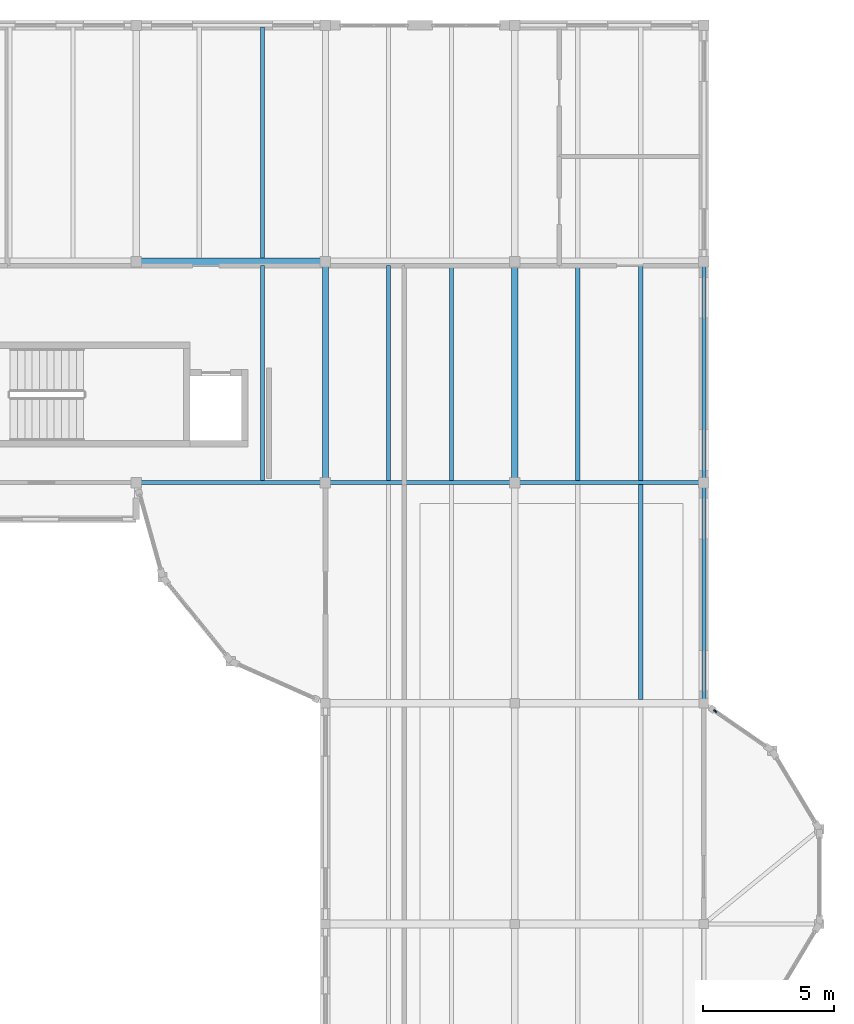
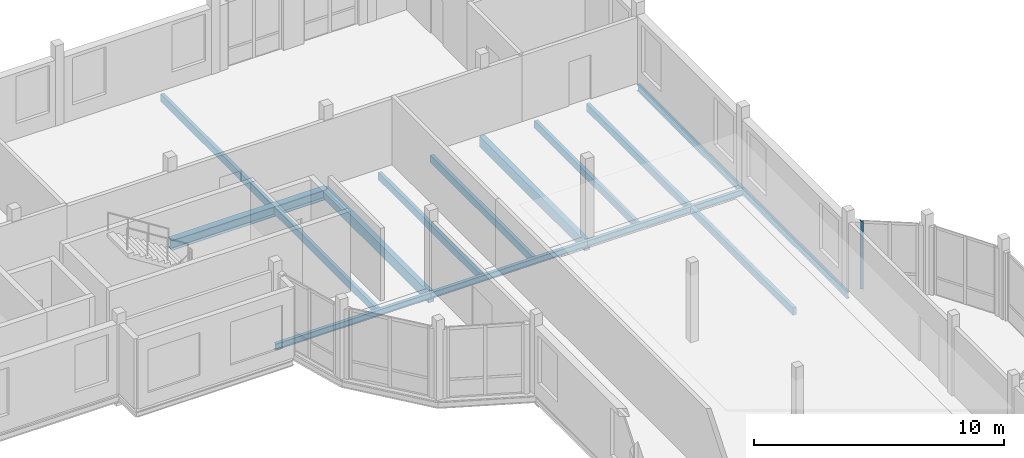
# One storey, part 18 of 34: 15 beams, 1 member, 1 element without a shape of its own.
"""IFC4 building model written with IfcOpenShell, lengths in metres."""

from ifc_helpers import new_model, si_unit, direction, frame, origin, origin_2d, place, context, subcontext, project, spatial, rectangle, i_section, extrude, material, material_profile, profile_set, type_object, element, aggregate, save


model = new_model("IFC4")

# Units and contexts
model_context = context("Model", 3, precision=1e-05, world=origin(), true_north=direction((0.0, 1.0)))
body_context = subcontext(model_context, "Body", "Model", "MODEL_VIEW")
ifc_project = project(units=[si_unit("LENGTHUNIT", "METRE"), si_unit("AREAUNIT", "SQUARE_METRE"), si_unit("VOLUMEUNIT", "CUBIC_METRE"), si_unit("PLANEANGLEUNIT", "RADIAN"), si_unit("MASSUNIT", "GRAM", prefix="KILO")], contexts=[model_context])

# Site, building, storey
site_placement = place(None, origin())
site = spatial("IfcSite", under=ifc_project, at=site_placement, CompositionType="ELEMENT")
building_placement = place(site_placement, origin())
building = spatial("IfcBuilding", under=site, at=building_placement, Name="Kahlenmark Community Centre", CompositionType="ELEMENT")
storey_placement = place(building_placement, frame((0.0, 0.0, 17.699951171875)))
storey = spatial("IfcBuildingStorey", under=building, at=storey_placement, Name="L04", CompositionType="ELEMENT", Elevation=17.699951171875)

# Beams
ifc_material_1 = material(Name="Glulam GL32h", Category="wood")
ifc_material_profile_1 = material_profile(ifc_material_1, rectangle(XDim=0.239990234375, YDim=0.52001953125, at=origin_2d()), Name="GL32h 240x520")
ifc_profile_set_1 = profile_set([ifc_material_profile_1], Name="Glulam GL32h")
beam_type_1 = type_object("IfcBeamType", Name="BT-BEAM-GL32h240x520", PredefinedType="BEAM", material=ifc_profile_set_1)
for number, where, z_axis, x_axis, name in (
    (1, (72.39990234375, 97.60009765625, -0.47998046875), (0.0, 1.0, 0.0), (-1.0, 0.0, 0.0), "L04 beam BG-GL32h240x520"),
    (2, (79.60009765625, 97.60009765625, -0.47998046875), (0.0, 1.0, 0.0), (-1.0, 0.0, 0.0), "L04 beam BG-GL32h240x520"),
):
    element("IfcBeam", number, at=place(storey_placement, frame(where, z_axis=z_axis, x_axis=x_axis)), inside=storey, type_object=beam_type_1, Name=name, PredefinedType="BEAM", context=body_context, shape_type="SweptSolid", body=[
        extrude(rectangle(XDim=0.239990234375, YDim=0.52001953125, at=origin_2d()), origin(), (0.0, 0.0, 1.0), 8.39990234375),
    ])
ifc_material_2 = material(Name="Steel S355", Category="steel")
ifc_material_profile_2 = material_profile(ifc_material_2, i_section(OverallWidth=0.300048828125, OverallDepth=0.489990234375, WebThickness=0.011962890625, FlangeThickness=0.02294921875, at=origin_2d()), Name="HEA 500")
ifc_profile_set_2 = profile_set([ifc_material_profile_2], Name="Steel S355")
beam_type_2 = type_object("IfcBeamType", Name="BT-BEAM-HEA500", PredefinedType="BEAM", material=ifc_profile_set_2)
beam_1_placement = place(storey_placement, frame((65.199951171875, 106.0, -0.46484375), z_axis=(1.0, 0.0, 0.0), x_axis=(0.0, 1.0, 0.0)))
element("IfcBeam", 3, at=beam_1_placement, inside=storey, type_object=beam_type_2, Name="L04 beam BG-HEA500", PredefinedType="BEAM", context=body_context, shape_type="SweptSolid", body=[
    extrude(i_section(OverallWidth=0.300048828125, OverallDepth=0.489990234375, WebThickness=0.011962890625, FlangeThickness=0.02294921875, at=origin_2d()), origin(), (0.0, 0.0, 1.0), 7.199951171875),
])
ifc_material_3 = material(Name="Glulam GL28h", Category="wood")
ifc_material_profile_3 = material_profile(ifc_material_3, rectangle(XDim=0.159912109375, YDim=0.360107421875, at=origin_2d()), Name="GL28h 160x360")
ifc_profile_set_3 = profile_set([ifc_material_profile_3], Name="Glulam GL28h")
beam_type_3 = type_object("IfcBeamType", Name="BT-JOIST-GL28h160x360", PredefinedType="JOIST", material=ifc_profile_set_3)
beam_2_placement = place(storey_placement, frame((70.0, 97.673095703125, -0.39990234375), z_axis=(0.0, 1.0, 0.0), x_axis=(-1.0, 0.0, 0.0)))
element("IfcBeam", 4, at=beam_2_placement, inside=storey, type_object=beam_type_3, Name="L04 joist BJ-GL28h160x360", PredefinedType="JOIST", context=body_context, shape_type="SweptSolid", body=[
    extrude(rectangle(XDim=0.159912109375, YDim=0.360107421875, at=origin_2d()), origin(), (0.0, 0.0, 1.0), 8.178955078125),
])
beam_3_placement = place(storey_placement, frame((70.0, 106.14794921875, -0.39990234375), z_axis=(0.0, 1.0, 0.0), x_axis=(-1.0, 0.0, 0.0)))
element("IfcBeam", 5, at=beam_3_placement, inside=storey, type_object=beam_type_3, Name="L04 joist BJ-GL28h160x360", PredefinedType="JOIST", context=body_context, shape_type="SweptSolid", body=[
    extrude(rectangle(XDim=0.159912109375, YDim=0.360107421875, at=origin_2d()), origin(), (0.0, 0.0, 1.0), 8.779052734375),
])
for number, where, z_axis, x_axis, name in (
    (6, (74.800048828125, 97.673095703125, -0.39990234375), (0.0, 1.0, 0.0), (-1.0, 0.0, 0.0), "L04 joist BJ-GL28h160x360"),
    (7, (77.199951171875, 97.673095703125, -0.39990234375), (0.0, 1.0, 0.0), (-1.0, 0.0, 0.0), "L04 joist BJ-GL28h160x360"),
    (8, (82.0, 97.673095703125, -0.39990234375), (0.0, 1.0, 0.0), (-1.0, 0.0, 0.0), "L04 joist BJ-GL28h160x360"),
    (9, (84.39990234375, 97.673095703125, -0.39990234375), (0.0, 1.0, 0.0), (-1.0, 0.0, 0.0), "L04 joist BJ-GL28h160x360"),
):
    element("IfcBeam", number, at=place(storey_placement, frame(where, z_axis=z_axis, x_axis=x_axis)), inside=storey, type_object=beam_type_3, Name=name, PredefinedType="JOIST", context=body_context, shape_type="SweptSolid", body=[
        extrude(rectangle(XDim=0.159912109375, YDim=0.360107421875, at=origin_2d()), origin(), (0.0, 0.0, 1.0), 8.178955078125),
    ])
beam_4_placement = place(storey_placement, frame((84.39990234375, 89.347900390625, -0.3798828125), z_axis=(0.0, 1.0, 0.0), x_axis=(-1.0, 0.0, 0.0)))
element("IfcBeam", 10, at=beam_4_placement, inside=storey, type_object=beam_type_3, Name="L04 joist BJ-GL28h160x360", PredefinedType="JOIST", context=body_context, shape_type="SweptSolid", body=[
    extrude(rectangle(XDim=0.159912109375, YDim=0.360107421875, at=origin_2d()), origin(), (0.0, 0.0, 1.0), 8.17919921875),
])
ifc_material_profile_4 = material_profile(ifc_material_2, i_section(OverallWidth=0.14990234375, OverallDepth=0.300048828125, WebThickness=0.007080078125, FlangeThickness=0.0107421875, at=origin_2d()), Name="IPE 300")
ifc_profile_set_4 = profile_set([ifc_material_profile_4], Name="Steel S355")
beam_type_4 = type_object("IfcBeamType", Name="BT-SPANDREL-IPE300", PredefinedType="SPANDREL", material=ifc_profile_set_4)
beam_5_placement = place(storey_placement, frame((65.199951171875, 97.60009765625, -0.369873046875), z_axis=(1.0, 0.0, 0.0), x_axis=(0.0, 1.0, 0.0)))
element("IfcBeam", 11, at=beam_5_placement, inside=storey, type_object=beam_type_4, Name="L04 spandrel SP-IPE300", PredefinedType="SPANDREL", context=body_context, shape_type="SweptSolid", body=[
    extrude(i_section(OverallWidth=0.14990234375, OverallDepth=0.300048828125, WebThickness=0.007080078125, FlangeThickness=0.0107421875, at=origin_2d()), origin(), (0.0, 0.0, 1.0), 7.199951171875),
])
beam_6_placement = place(storey_placement, frame((72.39990234375, 97.60009765625, -0.369873046875), z_axis=(1.0, 0.0, 0.0), x_axis=(0.0, 1.0, 0.0)))
element("IfcBeam", 12, at=beam_6_placement, inside=storey, type_object=beam_type_4, Name="L04 spandrel SP-IPE300", PredefinedType="SPANDREL", context=body_context, shape_type="SweptSolid", body=[
    extrude(i_section(OverallWidth=0.14990234375, OverallDepth=0.300048828125, WebThickness=0.007080078125, FlangeThickness=0.0107421875, at=origin_2d()), origin(), (0.0, 0.0, 1.0), 7.2001953125),
])
beam_7_placement = place(storey_placement, frame((79.60009765625, 97.60009765625, -0.369873046875), z_axis=(1.0, 0.0, 0.0), x_axis=(0.0, 1.0, 0.0)))
element("IfcBeam", 13, at=beam_7_placement, inside=storey, type_object=beam_type_4, Name="L04 spandrel SP-IPE300", PredefinedType="SPANDREL", context=body_context, shape_type="SweptSolid", body=[
    extrude(i_section(OverallWidth=0.14990234375, OverallDepth=0.300048828125, WebThickness=0.007080078125, FlangeThickness=0.0107421875, at=origin_2d()), origin(), (0.0, 0.0, 1.0), 7.199951171875),
])
beam_8_placement = place(storey_placement, frame((86.800048828125, 97.60009765625, -0.369873046875), z_axis=(0.0, 1.0, 0.0), x_axis=(-1.0, 0.0, 0.0)))
element("IfcBeam", 14, at=beam_8_placement, inside=storey, type_object=beam_type_4, Name="L04 spandrel SP-IPE300", PredefinedType="SPANDREL", context=body_context, shape_type="SweptSolid", body=[
    extrude(i_section(OverallWidth=0.14990234375, OverallDepth=0.300048828125, WebThickness=0.007080078125, FlangeThickness=0.0107421875, at=origin_2d()), origin(), (0.0, 0.0, 1.0), 8.39990234375),
])
beam_9_placement = place(storey_placement, frame((86.800048828125, 89.199951171875, -0.349853515625), z_axis=(0.0, 1.0, 0.0), x_axis=(-1.0, 0.0, 0.0)))
element("IfcBeam", 15, at=beam_9_placement, inside=storey, type_object=beam_type_4, Name="L04 spandrel SP-IPE300", PredefinedType="SPANDREL", context=body_context, shape_type="SweptSolid", body=[
    extrude(i_section(OverallWidth=0.14990234375, OverallDepth=0.300048828125, WebThickness=0.007080078125, FlangeThickness=0.0107421875, at=origin_2d()), origin(), (0.0, 0.0, 1.0), 8.400146484375),
])

# Curtain wall, member
ifc_material_4 = material(Name="Anodised aluminium unitised curtain wall", Category="aluminium")
curtain_wall_type = type_object("IfcCurtainWallType", Name="CWT-UNIT-232X332", PredefinedType="USERDEFINED", material=ifc_material_4)
curtain_wall_placement = place(storey_placement, origin())
curtain_wall = element("IfcCurtainWall", 16, at=curtain_wall_placement, inside=storey, type_object=curtain_wall_type, Name="Unitised curtain wall CW-170", ObjectType="UNITISED CURTAIN WALL", PredefinedType="USERDEFINED")
ifc_material_5 = material(Name="Anodised aluminium 6063-T6", Category="aluminium")
ifc_material_profile_5 = material_profile(ifc_material_5, rectangle(XDim=0.06005859375, YDim=0.139892578125, at=origin_2d()), Name="ALU MULLION 60x140")
ifc_profile_set_5 = profile_set([ifc_material_profile_5], Name="Anodised aluminium 6063-T6")
member_type = type_object("IfcMemberType", Name="MT-MUL-140", PredefinedType="MULLION", material=ifc_profile_set_5)
member_placement = place(storey_placement, frame((87.23583984375, 88.898193359375, 0.0), z_axis=(0.0, 0.0, 1.0), x_axis=(-0.56921208065, -0.822190736534, 0.0)))
member = element("IfcMember", 17, at=member_placement, type_object=member_type, Name="CW-170 mullion 3", PredefinedType="MULLION", context=body_context, shape_type="SweptSolid", body=[
    extrude(rectangle(XDim=0.06005859375, YDim=0.139892578125, at=origin_2d()), origin(), (0.0, 0.0, 1.0), 3.320068359375),
])
aggregate(curtain_wall, [member])

save(model, "model.ifc")
